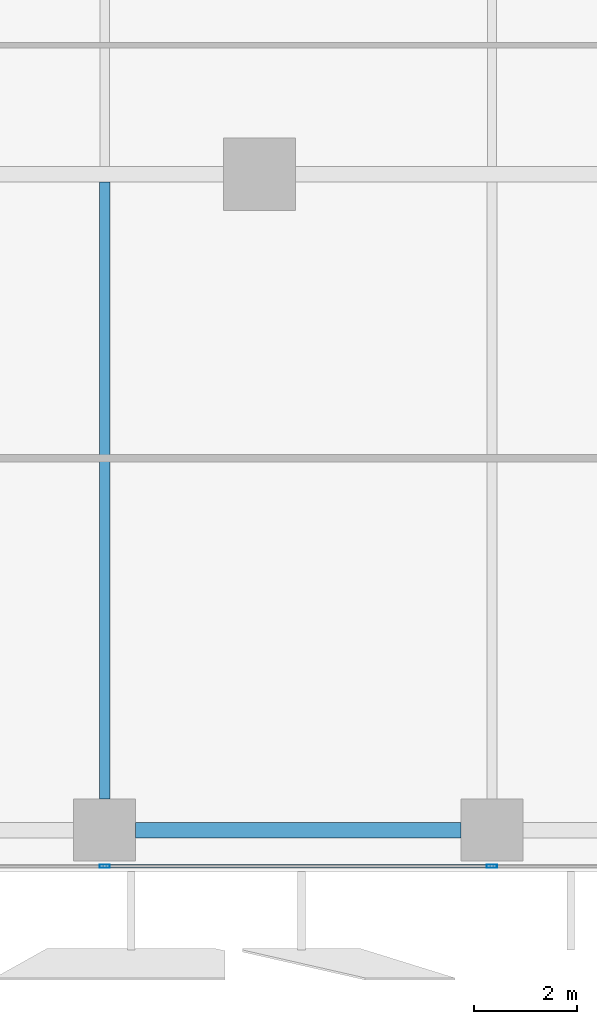
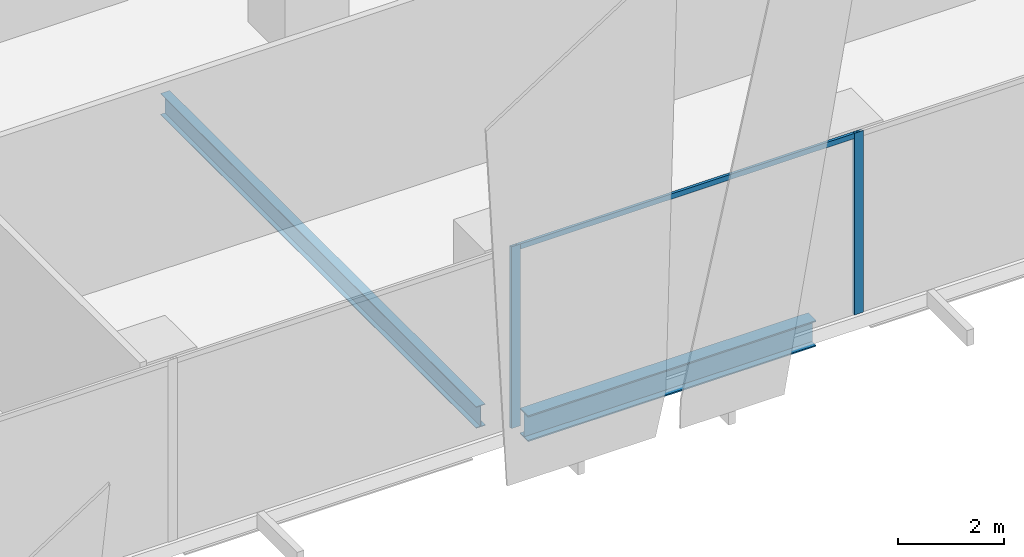
# One storey, part 7 of 36: 3 members, 2 beams, 1 element without a shape of its own.
"""IFC4 building model written with IfcOpenShell, lengths in metres."""

from ifc_helpers import new_model, si_unit, direction, frame, origin, origin_2d, place, context, subcontext, project, spatial, hollow_rectangle, i_section, extrude, source, transform, mapped, material, material_profile, profile_set, type_object, element, aggregate, save


model = new_model("IFC4")

# Units and contexts
model_context = context("Model", 3, precision=1e-05, world=origin(), true_north=direction((0.0, 1.0)))
body_context = subcontext(model_context, "Body", "Model", "MODEL_VIEW")
ifc_project = project(units=[si_unit("LENGTHUNIT", "METRE"), si_unit("AREAUNIT", "SQUARE_METRE"), si_unit("VOLUMEUNIT", "CUBIC_METRE"), si_unit("PLANEANGLEUNIT", "RADIAN"), si_unit("MASSUNIT", "GRAM", prefix="KILO")], contexts=[model_context])

# Site, building, storey
site_placement = place(None, origin())
site = spatial("IfcSite", under=ifc_project, at=site_placement, CompositionType="ELEMENT")
building_placement = place(site_placement, origin())
building = spatial("IfcBuilding", under=site, at=building_placement, Name="Khomas Fold Tower", CompositionType="ELEMENT")
storey_placement = place(building_placement, frame((0.0, 0.0, 46.5)))
storey = spatial("IfcBuildingStorey", under=building, at=storey_placement, Name="L09", CompositionType="ELEMENT", Elevation=46.5)

# Beams
ifc_material_1 = material(Name="Steel S355", Category="steel")
ifc_material_profile_1 = material_profile(ifc_material_1, i_section(OverallWidth=0.300048828125, OverallDepth=0.60009765625, WebThickness=0.015380859375, FlangeThickness=0.030029296875, at=origin_2d()), Name="HE 600 B")
ifc_profile_set_1 = profile_set([ifc_material_profile_1], Name="Steel S355")
beam_type_1 = type_object("IfcBeamType", Name="HE 600 B spandrel SB1", PredefinedType="SPANDREL", material=ifc_profile_set_1)
shared_shape_1 = source(origin(), body_context, "Body", "SweptSolid", [
    extrude(i_section(OverallWidth=0.300048828125, OverallDepth=0.60009765625, WebThickness=0.015380859375, FlangeThickness=0.030029296875, at=origin_2d()), origin(), (0.0, 0.0, 1.0), 6.2998046875),
])
beam_1_placement = place(storey_placement, frame((35.10009765625, 0.800048828125, -0.60009765625), z_axis=(1.0, 0.0, 0.0), x_axis=(0.0, 1.0, 0.0)))
element("IfcBeam", 1, at=beam_1_placement, inside=storey, type_object=beam_type_1, Name="SB1", PredefinedType="SPANDREL", context=body_context, shape_type="MappedRepresentation", body=[
    mapped(shared_shape_1, transform((0.0, 0.0, 0.0))),
])
ifc_material_2 = material(Name="Steel S355", Category="steel")
ifc_material_profile_2 = material_profile(ifc_material_2, i_section(OverallWidth=0.199951171875, OverallDepth=0.5, WebThickness=0.01025390625, FlangeThickness=0.01611328125, at=origin_2d()), Name="IPE 500")
ifc_profile_set_2 = profile_set([ifc_material_profile_2], Name="Steel S355")
beam_type_2 = type_object("IfcBeamType", Name="IPE 500 beam JB5", PredefinedType="BEAM", material=ifc_profile_set_2)
shared_shape_2 = source(origin(), body_context, "Body", "SweptSolid", [
    extrude(i_section(OverallWidth=0.199951171875, OverallDepth=0.5, WebThickness=0.01025390625, FlangeThickness=0.01611328125, at=origin_2d()), origin(), (0.0, 0.0, 1.0), 11.9501953125),
])
beam_2_placement = place(storey_placement, frame((34.5, 1.39990234375, -0.550048828125), z_axis=(0.0, 1.0, 0.0), x_axis=(-1.0, 0.0, 0.0)))
element("IfcBeam", 2, at=beam_2_placement, inside=storey, type_object=beam_type_2, Name="JB5", PredefinedType="BEAM", context=body_context, shape_type="MappedRepresentation", body=[
    mapped(shared_shape_2, transform((0.0, 0.0, 0.0))),
])

# Curtain wall, members
ifc_material_3 = material(Name="Aluminium framed double glazing", Category="aluminium")
curtain_wall_type = type_object("IfcCurtainWallType", Name="SK-Unitised clear-glass wall, growing floors CW1", PredefinedType="NOTDEFINED", material=ifc_material_3)
curtain_wall_placement = place(storey_placement, origin())
curtain_wall = element("IfcCurtainWall", 3, at=curtain_wall_placement, inside=storey, type_object=curtain_wall_type, Name="CW1 run L09 00-0", PredefinedType="NOTDEFINED")
ifc_material_4 = material(Name="Aluminium", Category="aluminium")
ifc_material_profile_3 = material_profile(ifc_material_4, hollow_rectangle(XDim=0.06005859375, YDim=0.1201171875, WallThickness=0.00390625, at=origin_2d()), Name="SK-Unitised clear-glass wall, growing floors transom CW1-T")
ifc_profile_set_3 = profile_set([ifc_material_profile_3], Name="Aluminium")
member_type_1 = type_object("IfcMemberType", Name="SK-Unitised clear-glass wall, growing floors transom CW1-T", PredefinedType="USERDEFINED", material=ifc_profile_set_3)
shared_shape_3 = source(origin(), body_context, "Body", "SweptSolid", [
    extrude(hollow_rectangle(XDim=0.06005859375, YDim=0.1201171875, WallThickness=0.00390625, at=origin_2d()), origin(), (0.0, 0.0, 1.0), 7.43994140625),
])
member_1_placement = place(storey_placement, frame((34.530029296875, 0.10009765625, 4.139892578125), z_axis=(1.0, 0.0, 0.0), x_axis=(0.0, 1.0, 0.0)))
member_1 = element("IfcMember", 4, at=member_1_placement, type_object=member_type_1, Name="CW1 transom 6", ObjectType="TRANSOM", PredefinedType="USERDEFINED", context=body_context, shape_type="MappedRepresentation", body=[
    mapped(shared_shape_3, transform((0.0, 0.0, 0.0))),
])
ifc_material_5 = material(Name="Aluminium", Category="aluminium")
ifc_material_profile_4 = material_profile(ifc_material_5, hollow_rectangle(XDim=0.06005859375, YDim=0.199951171875, WallThickness=0.00390625, at=origin_2d()), Name="SK-Unitised clear-glass wall, growing floors mullion CW1-M")
ifc_profile_set_4 = profile_set([ifc_material_profile_4], Name="Aluminium")
member_type_2 = type_object("IfcMemberType", Name="SK-Unitised clear-glass wall, growing floors mullion CW1-M", PredefinedType="MULLION", material=ifc_profile_set_4)
shared_shape_4 = source(origin(), body_context, "Body", "SweptSolid", [
    extrude(hollow_rectangle(XDim=0.06005859375, YDim=0.199951171875, WallThickness=0.00390625, at=origin_2d()), origin(), (0.0, 0.0, 1.0), 4.199951171875),
])
member_2_placement = place(storey_placement, frame((34.5, 0.10009765625, 0.0), z_axis=(0.0, 0.0, 1.0), x_axis=(0.0, 1.0, 0.0)))
member_2 = element("IfcMember", 5, at=member_2_placement, type_object=member_type_2, Name="CW1 mullion 6", PredefinedType="MULLION", context=body_context, shape_type="MappedRepresentation", body=[
    mapped(shared_shape_4, transform((0.0, 0.0, 0.0))),
])
member_3_placement = place(storey_placement, frame((42.0, 0.10009765625, 0.0), z_axis=(0.0, 0.0, 1.0), x_axis=(0.0, 1.0, 0.0)))
member_3 = element("IfcMember", 6, at=member_3_placement, type_object=member_type_2, Name="CW1 mullion 7", PredefinedType="MULLION", context=body_context, shape_type="MappedRepresentation", body=[
    mapped(shared_shape_4, transform((0.0, 0.0, 0.0))),
])
aggregate(curtain_wall, [member_2, member_3, member_1])

save(model, "model.ifc")
